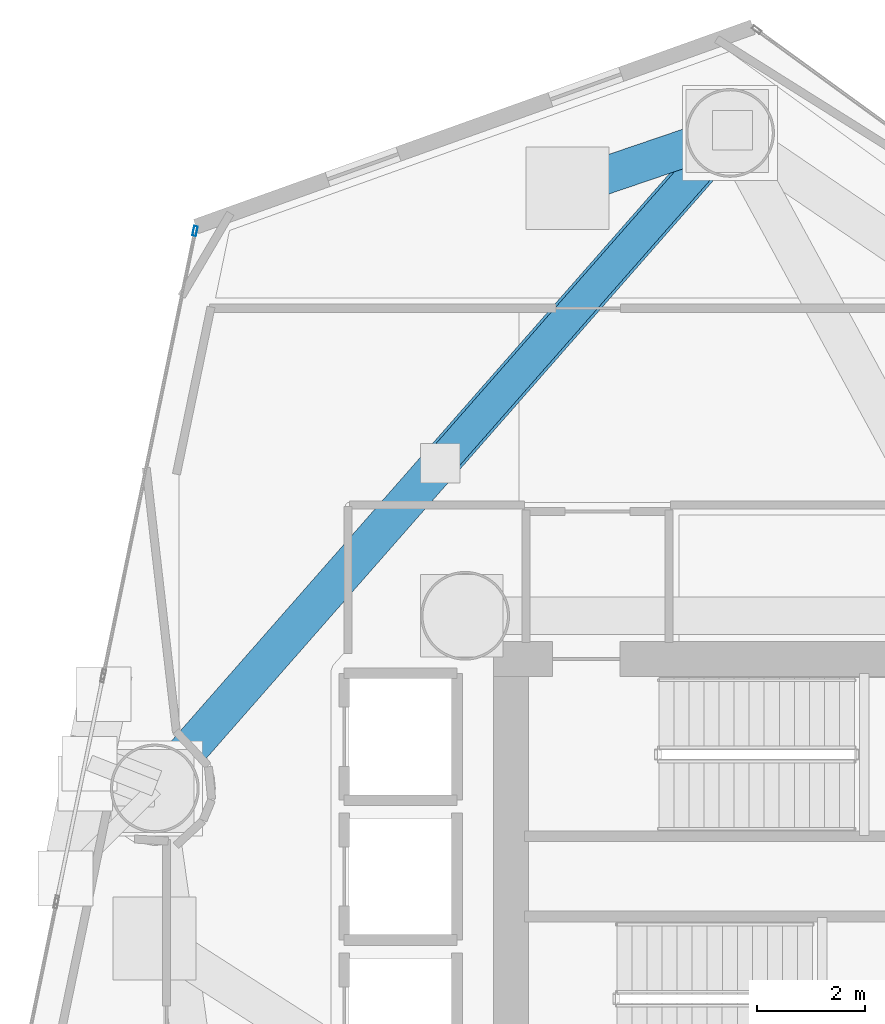
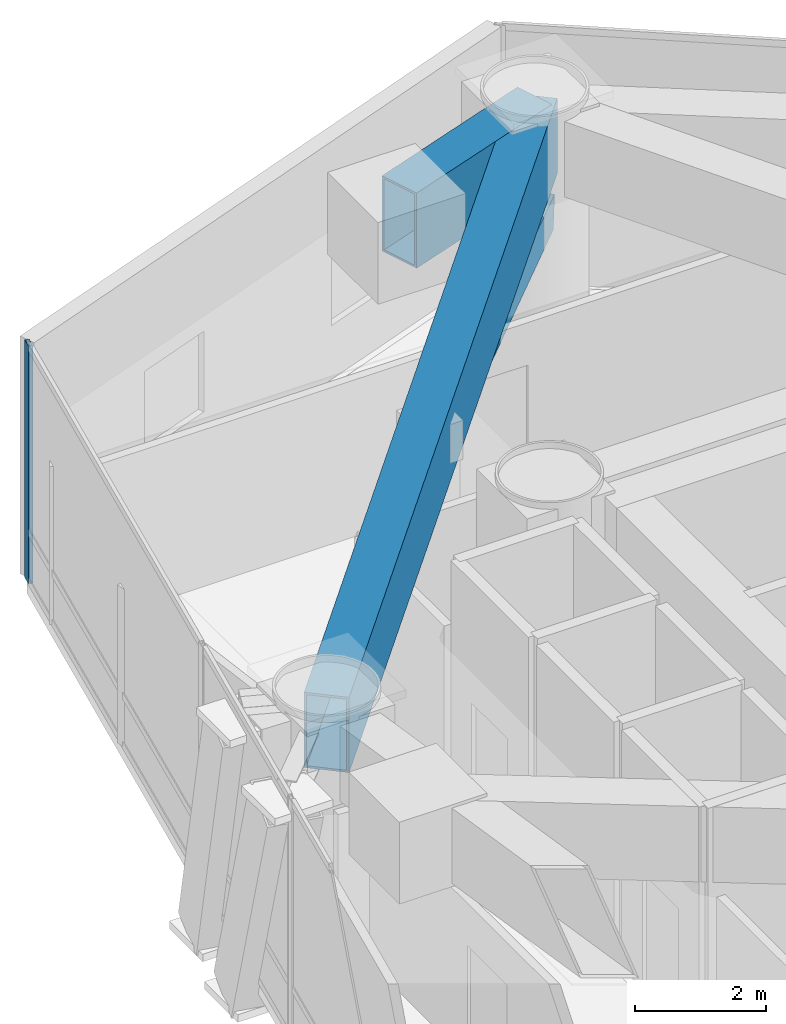
# One storey, part 8 of 22: 2 beams, 2 members, 1 element without a shape of its own.
"""IFC4 building model written with IfcOpenShell, lengths in metres."""

from ifc_helpers import new_model, si_unit, direction, frame, origin, origin_2d, place, context, subcontext, project, spatial, hollow_rectangle, extrude, material, layer, layer_set, material_profile, profile_set, type_object, element, aggregate, save


model = new_model("IFC4")

# Units and contexts
model_context = context("Model", 3, precision=1e-05, world=origin(), true_north=direction((0.0, 1.0)))
body_context = subcontext(model_context, "Body", "Model", "MODEL_VIEW")
ifc_project = project(units=[si_unit("LENGTHUNIT", "METRE"), si_unit("AREAUNIT", "SQUARE_METRE"), si_unit("VOLUMEUNIT", "CUBIC_METRE"), si_unit("PLANEANGLEUNIT", "RADIAN"), si_unit("MASSUNIT", "GRAM", prefix="KILO")], contexts=[model_context])

# Site, building, storey
site_placement = place(None, origin())
site = spatial("IfcSite", under=ifc_project, at=site_placement, CompositionType="ELEMENT")
building_placement = place(site_placement, origin())
building = spatial("IfcBuilding", under=site, at=building_placement, Name="Qianvela Tower", CompositionType="ELEMENT")
storey_placement = place(building_placement, frame((0.0, 0.0, 93.199951171875)))
storey = spatial("IfcBuildingStorey", under=building, at=storey_placement, Name="L23", CompositionType="ELEMENT", Elevation=93.199951171875)

# Beams
ifc_material_1 = material(Name="Steel Q420GJC", Category="steel")
ifc_material_profile_1 = material_profile(ifc_material_1, hollow_rectangle(XDim=0.699951171875, YDim=1.39990234375, WallThickness=0.0400390625, at=origin_2d()), Name="TG-BOX-1400x700x40")
ifc_profile_set_1 = profile_set([ifc_material_profile_1], Name="Steel Q420GJC")
beam_type_1 = type_object("IfcBeamType", Name="BM-TG-RAD-1400", PredefinedType="BEAM", material=ifc_profile_set_1)
beam_1_placement = place(storey_placement, frame((33.52587890625, 42.529052734375, 3.718017578125), z_axis=(-0.659601693124, -0.751615331422, 0.0), x_axis=(0.751615331422, -0.659601693124, 0.0)))
element("IfcBeam", 1, at=beam_1_placement, inside=storey, type_object=beam_type_1, Name="L23 Perimeter Belt-Truss Top Ring Girder 3", PredefinedType="BEAM", context=body_context, shape_type="SweptSolid", body=[
    extrude(hollow_rectangle(XDim=0.699951171875, YDim=1.39990234375, WallThickness=0.0400390625, at=origin_2d()), origin(), (0.0, 0.0, 1.0), 16.217041015625),
])
ifc_material_2 = material(Name="Steel Q420GJC", Category="steel")
ifc_material_profile_2 = material_profile(ifc_material_2, hollow_rectangle(XDim=0.699951171875, YDim=1.39990234375, WallThickness=0.0400390625, at=origin_2d()), Name="TG-BOX-1400x700x40")
ifc_profile_set_2 = profile_set([ifc_material_profile_2], Name="Steel Q420GJC")
beam_type_2 = type_object("IfcBeamType", Name="BM-TG-STEP-1400", PredefinedType="BEAM", material=ifc_profile_set_2)
beam_2_placement = place(storey_placement, frame((33.52587890625, 42.529052734375, 3.718017578125), z_axis=(-0.946674721285, -0.32219089385, 0.0), x_axis=(0.32219089385, -0.946674721285, 0.0)))
element("IfcBeam", 2, at=beam_2_placement, inside=storey, type_object=beam_type_2, Name="L23 Zone-Step Transfer Girder 3", PredefinedType="BEAM", context=body_context, shape_type="SweptSolid", body=[
    extrude(hollow_rectangle(XDim=0.699951171875, YDim=1.39990234375, WallThickness=0.0400390625, at=origin_2d()), origin(), (0.0, 0.0, 1.0), 3.128662109375),
])

# Curtain wall, member
ifc_material_3 = material(Name="Anodised Architectural Aluminium and Low-E Glass", Category="aluminium")
ifc_layer = layer(ifc_material_3, 0.179931640625)
ifc_layer_set = layer_set([ifc_layer], Name="Anodised Architectural Aluminium and Low-E Glass")
curtain_wall_type = type_object("IfcCurtainWallType", Name="CW-COLIV-Z12", PredefinedType="USERDEFINED", material=ifc_layer_set)
curtain_wall_placement = place(storey_placement, origin())
curtain_wall = element("IfcCurtainWall", 3, at=curtain_wall_placement, inside=storey, type_object=curtain_wall_type, Name="L23 CW-COLIV-Z12 Curtain Wall 04A", ObjectType="CURTAIN_WALL_SYSTEM", PredefinedType="USERDEFINED")
ifc_material_4 = material(Name="Anodised Architectural Aluminium 6063-T6", Category="aluminium")
ifc_material_profile_3 = material_profile(ifc_material_4, hollow_rectangle(XDim=0.070068359375, YDim=0.179931640625, WallThickness=0.0048828125, at=origin_2d()), Name="ALU-MULL-70x180")
ifc_profile_set_3 = profile_set([ifc_material_profile_3], Name="Anodised Architectural Aluminium 6063-T6")
member_type_1 = type_object("IfcMemberType", Name="CW-COLIV-Z12-MULL", PredefinedType="MULLION", material=ifc_profile_set_3)
member_1_placement = place(storey_placement, frame((23.5771484375, 40.705322265625, 0.0), z_axis=(0.0, 0.0, 1.0), x_axis=(0.979292640332, -0.202449807585, 0.0)))
member_1 = element("IfcMember", 4, at=member_1_placement, type_object=member_type_1, Name="CW-3 mullion 1", PredefinedType="MULLION", context=body_context, shape_type="SweptSolid", body=[
    extrude(hollow_rectangle(XDim=0.070068359375, YDim=0.179931640625, WallThickness=0.0048828125, at=origin_2d()), origin(), (0.0, 0.0, 1.0), 4.420166015625),
])
aggregate(curtain_wall, [member_1])

# Member
ifc_material_5 = material(Name="Steel Q420GJC", Category="steel")
ifc_material_profile_4 = material_profile(ifc_material_5, hollow_rectangle(XDim=0.60009765625, YDim=0.60009765625, WallThickness=0.02490234375, at=origin_2d()), Name="BBOX-600x600x25")
ifc_profile_set_4 = profile_set([ifc_material_profile_4], Name="Steel Q420GJC")
member_type_2 = type_object("IfcMemberType", Name="MBR-BELT-600", PredefinedType="BRACE", material=ifc_profile_set_4)
member_2_placement = place(storey_placement, frame((33.52587890625, 42.529052734375, 2.300048828125), z_axis=(-0.649741650501, -0.74037982478, 0.172259985672), x_axis=(0.751615331422, -0.659601693124, 0.0)))
element("IfcMember", 5, at=member_2_placement, inside=storey, type_object=member_type_2, Name="L23 Perimeter Belt-Truss Web Diagonal 3", PredefinedType="BRACE", context=body_context, shape_type="SweptSolid", body=[
    extrude(hollow_rectangle(XDim=0.60009765625, YDim=0.60009765625, WallThickness=0.02490234375, at=origin_2d()), origin(), (0.0, 0.0, 1.0), 8.2314453125),
])

save(model, "model.ifc")
